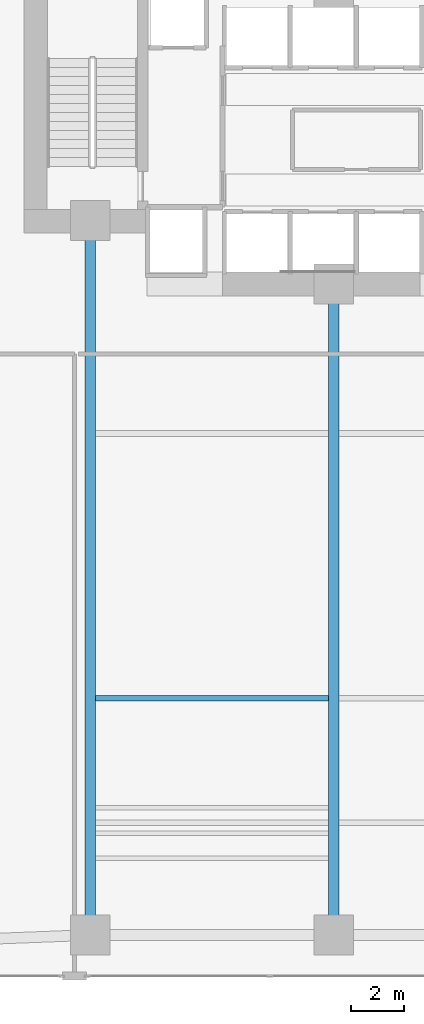
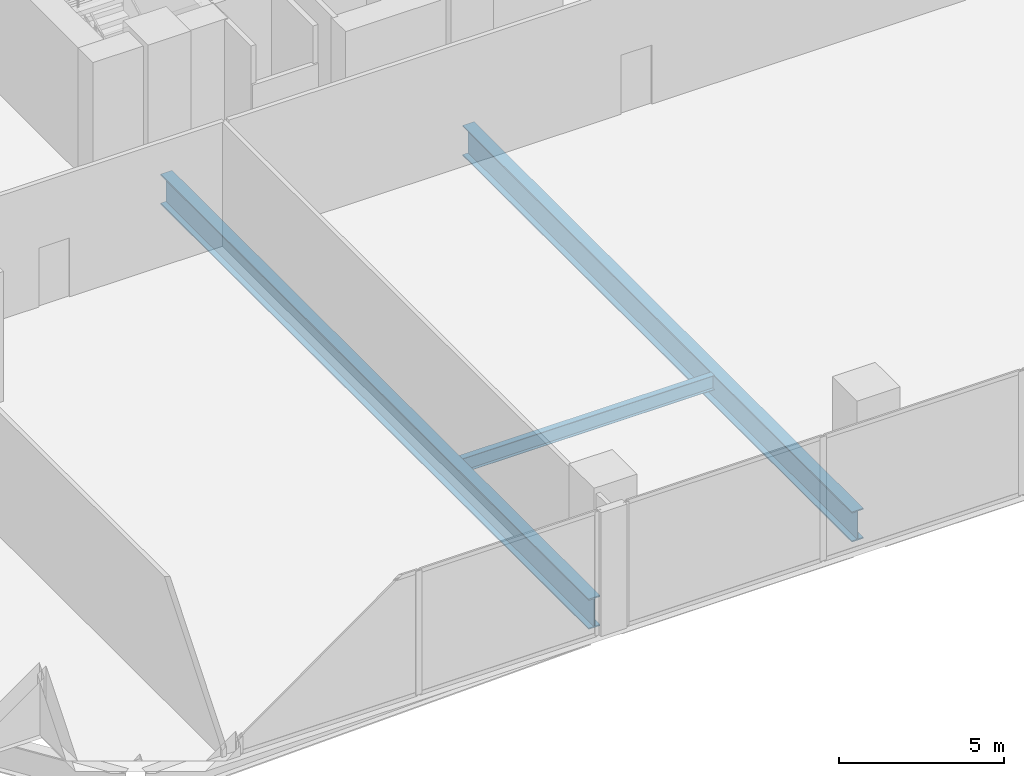
# One storey, part 5 of 28: 3 beams.
"""IFC4 building model written with IfcOpenShell, lengths in metres."""

from ifc_helpers import new_model, si_unit, direction, frame, origin, origin_2d, place, context, subcontext, project, spatial, i_section, extrude, material, material_profile, profile_set, type_object, element, save


model = new_model("IFC4")

# Units and contexts
model_context = context("Model", 3, precision=1e-05, world=origin(), true_north=direction((0.0, 1.0)))
body_context = subcontext(model_context, "Body", "Model", "MODEL_VIEW")
ifc_project = project(units=[si_unit("LENGTHUNIT", "METRE"), si_unit("AREAUNIT", "SQUARE_METRE"), si_unit("VOLUMEUNIT", "CUBIC_METRE"), si_unit("PLANEANGLEUNIT", "RADIAN"), si_unit("MASSUNIT", "GRAM", prefix="KILO")], contexts=[model_context])

# Site, building, storey
site_placement = place(None, origin())
site = spatial("IfcSite", under=ifc_project, at=site_placement, CompositionType="ELEMENT")
building_placement = place(site_placement, origin())
building = spatial("IfcBuilding", under=site, at=building_placement, Name="Zuhayl Quay Hotel", CompositionType="ELEMENT")
storey_placement = place(building_placement, frame((0.0, 0.0, 22.800048828125)))
storey = spatial("IfcBuildingStorey", under=building, at=storey_placement, Name="L04", CompositionType="ELEMENT", Elevation=22.800048828125)

# Beams
ifc_material_1 = material(Name="Steel ASTM A992 Grade 50", Category="steel")
ifc_material_profile_1 = material_profile(ifc_material_1, i_section(OverallWidth=0.208984375, OverallDepth=0.532958984375, WebThickness=0.01025390625, FlangeThickness=0.015625, at=origin_2d()), Name="W21X62")
ifc_profile_set_1 = profile_set([ifc_material_profile_1], Name="Steel ASTM A992 Grade 50")
beam_type_1 = type_object("IfcBeamType", Name="BM_J1_W21X62", PredefinedType="JOIST", material=ifc_profile_set_1)
beam_1_placement = place(storey_placement, frame((-13.60595703125, -13.5, -0.526611328125), z_axis=(1.0, 0.0, 0.0), x_axis=(0.0, 1.0, 0.0)))
element("IfcBeam", 1, at=beam_1_placement, inside=storey, type_object=beam_type_1, Name="L04 Floor Beam J_POD_L04_2_1", PredefinedType="JOIST", context=body_context, shape_type="SweptSolid", body=[
    extrude(i_section(OverallWidth=0.208984375, OverallDepth=0.532958984375, WebThickness=0.01025390625, FlangeThickness=0.015625, at=origin_2d()), origin(), (0.0, 0.0, 1.0), 8.81201171875),
])
ifc_material_2 = material(Name="Steel ASTM A913 Grade 65", Category="steel")
ifc_material_profile_2 = material_profile(ifc_material_2, i_section(OverallWidth=0.404052734375, OverallDepth=1.117919921875, WebThickness=0.026123046875, FlangeThickness=0.044921875, at=origin_2d()), Name="W44X335")
ifc_profile_set_2 = profile_set([ifc_material_profile_2], Name="Steel ASTM A913 Grade 65")
beam_type_2 = type_object("IfcBeamType", Name="BM_TG1_W44X335", PredefinedType="BEAM", material=ifc_profile_set_2)
beam_2_placement = place(storey_placement, frame((-13.800048828125, -21.929931640625, -0.819091796875), z_axis=(0.0, 1.0, 0.0), x_axis=(-1.0, 0.0, 0.0)))
element("IfcBeam", 2, at=beam_2_placement, inside=storey, type_object=beam_type_2, Name="L04 Floor Beam PG_NS_BALL_L04_1", PredefinedType="BEAM", context=body_context, shape_type="SweptSolid", body=[
    extrude(i_section(OverallWidth=0.404052734375, OverallDepth=1.117919921875, WebThickness=0.026123046875, FlangeThickness=0.044921875, at=origin_2d()), origin(), (0.0, 0.0, 1.0), 25.909912109375),
])
beam_3_placement = place(storey_placement, frame((-4.60009765625, -21.929931640625, -0.819091796875), z_axis=(0.0, 1.0, 0.0), x_axis=(-1.0, 0.0, 0.0)))
element("IfcBeam", 3, at=beam_3_placement, inside=storey, type_object=beam_type_2, Name="L04 Floor Beam PG_NS_BALL_L04_2", PredefinedType="BEAM", context=body_context, shape_type="SweptSolid", body=[
    extrude(i_section(OverallWidth=0.404052734375, OverallDepth=1.117919921875, WebThickness=0.026123046875, FlangeThickness=0.044921875, at=origin_2d()), origin(), (0.0, 0.0, 1.0), 23.559814453125),
])

save(model, "model.ifc")
